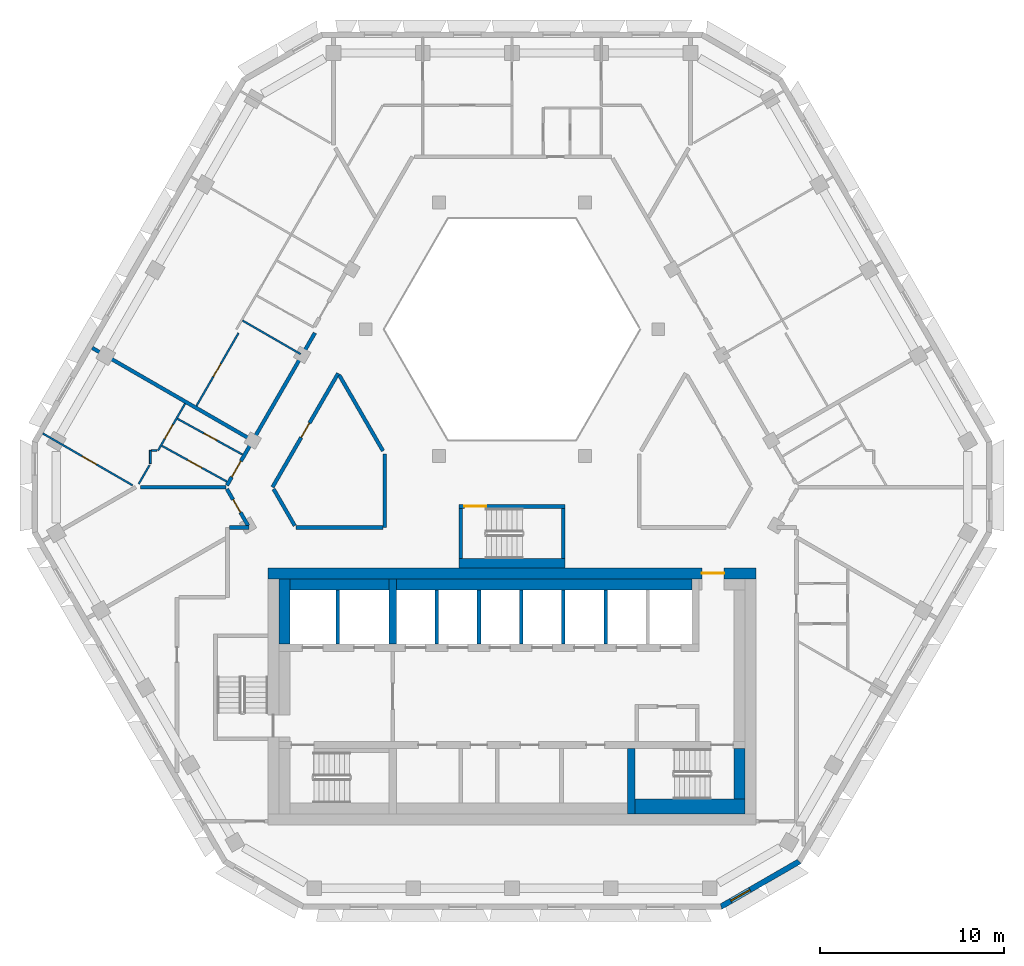
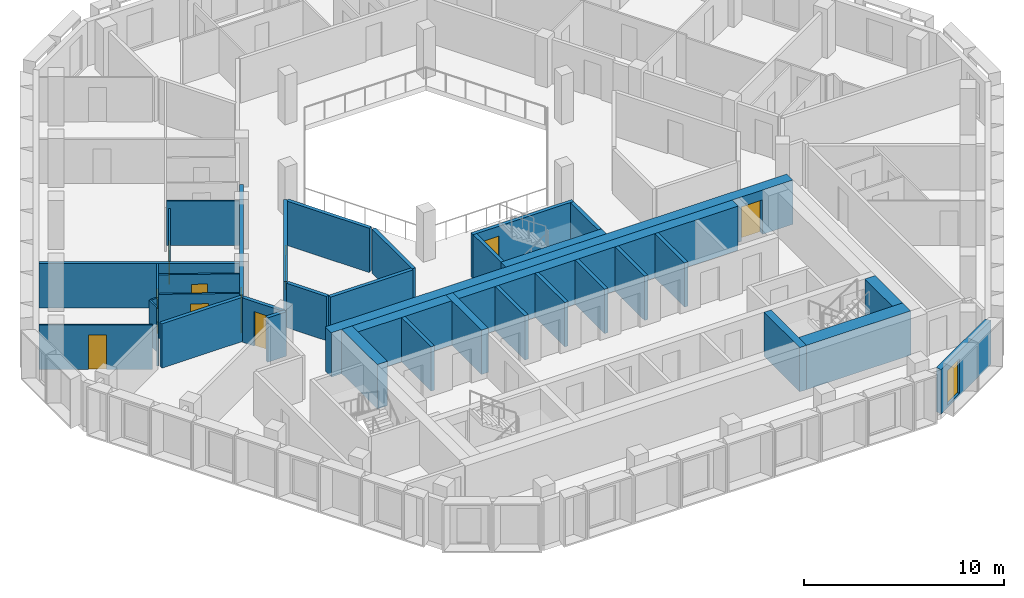
# One storey, part 4 of 15: 38 walls, 10 doors, 1 window, 11 openings.
"""IFC4 building model written with IfcOpenShell, lengths in metres."""

from ifc_helpers import new_model, si_unit, direction, frame, frame_2d, origin, place, context, subcontext, project, spatial, polyline, rectangle, outline, extrude, material, layer, layer_set, type_object, element, fill, save


model = new_model("IFC4")

# Units and contexts
model_context = context("Model", 3, precision=1e-05, world=origin(), true_north=direction((0.0, 1.0)))
body_context = subcontext(model_context, "Body", "Model", "MODEL_VIEW")
ifc_project = project(units=[si_unit("LENGTHUNIT", "METRE"), si_unit("AREAUNIT", "SQUARE_METRE"), si_unit("VOLUMEUNIT", "CUBIC_METRE"), si_unit("PLANEANGLEUNIT", "RADIAN"), si_unit("MASSUNIT", "GRAM", prefix="KILO")], contexts=[model_context])

# Site, building, storey
site_placement = place(None, origin())
site = spatial("IfcSite", under=ifc_project, at=site_placement, CompositionType="ELEMENT")
building_placement = place(site_placement, origin())
building = spatial("IfcBuilding", under=site, at=building_placement, Name="Beryl Residences", CompositionType="ELEMENT")
storey_placement = place(building_placement, frame((0.0, 0.0, 187.199951171875)))
storey = spatial("IfcBuildingStorey", under=building, at=storey_placement, Name="L57", CompositionType="ELEMENT", Elevation=187.199951171875)

# Wall, opening, window
ifc_material_1 = material(Name="Composite metal panel with mineral wool insulation")
ifc_layer_1 = layer(ifc_material_1, 0.300048828125)
ifc_layer_set_1 = layer_set([ifc_layer_1], Name="ES1 pale metal composite panel wall 300 mm")
wall_type_1 = type_object("IfcWallType", Name="ES1 pale metal composite panel wall 300 mm", PredefinedType="SOLIDWALL", material=ifc_layer_set_1)
wall_1_placement = place(storey_placement, frame((11.35595703125, -23.469970703125, 0.0), z_axis=(0.0, 0.0, 1.0), x_axis=(0.866022959057, 0.500004234368, 0.0)))
wall_1 = element("IfcWall", 1, at=wall_1_placement, inside=storey, type_object=wall_type_1, Name="ES1 external wall L57 S-SE", PredefinedType="SOLIDWALL", context=body_context, shape_type="SweptSolid", body=[
    extrude(outline(polyline([(0.0, -0.14990234375), (5.0, -0.14990234375), (4.919677734375, 0.14990234375), (0.080322265625, 0.14990234375), (0.0, -0.14990234375)])), origin(), (0.0, 0.0, 1.0), 2.699951171875),
])
opening_1_placement = place(wall_1_placement, frame((0.64990234375, 0.0, 0.14990234375)))
opening_1 = element("IfcOpeningElement", 2, at=opening_1_placement, cuts=wall_1, Name="Opening W2", PredefinedType="OPENING", context=body_context, shape_type="SweptSolid", body=[
    extrude(rectangle(XDim=1.199951171875, YDim=2.10009765625, at=frame_2d((0.60009765625, 1.050048828125))), frame((0.0, 0.159912109375, 0.0), z_axis=(0.0, -1.0, 0.0), x_axis=(1.0, 0.0, 0.0)), (0.0, 0.0, 1.0), 0.320068359375),
])
ifc_material_2 = material(Name="Aluminium and clear glass", Category="aluminium")
window_type = type_object("IfcWindowType", Name="W2 chamfer window 1200 x 2100 mm", PartitioningType="SINGLE_PANEL", PredefinedType="WINDOW", material=ifc_material_2)
window_placement = place(opening_1_placement, origin())
window = element("IfcWindow", 3, at=window_placement, inside=storey, type_object=window_type, Name="W2 window L57 S-SE 1", OverallHeight=2.10009765625, OverallWidth=1.199951171875, PartitioningType="SINGLE_PANEL", PredefinedType="WINDOW", context=body_context, shape_type="SweptSolid", body=[
    extrude(rectangle(XDim=1.199951171875, YDim=2.10009765625, at=frame_2d((0.60009765625, 1.050048828125))), frame((0.0, 0.030029296875, 0.0), z_axis=(0.0, -1.0, 0.0), x_axis=(1.0, 0.0, 0.0)), (0.0, 0.0, 1.0), 0.06005859375),
])
fill(opening_1, window)

# Wall, opening, door
ifc_material_3 = material(Name="Gypsum board partition on steel studs", Category="steel")
ifc_layer_2 = layer(ifc_material_3, 0.10009765625)
ifc_layer_set_2 = layer_set([ifc_layer_2], Name="PT1 partition 100 mm gypsum board on steel studs")
wall_type_2 = type_object("IfcWallType", Name="PT1 partition 100 mm gypsum board on steel studs", PredefinedType="PARTITIONING", material=ifc_layer_set_2)
wall_2_placement = place(storey_placement, frame((-18.22900390625, 3.1259765625, 0.0), z_axis=(0.0, 0.0, 1.0), x_axis=(0.876123002581, -0.482087631399, 0.0)))
wall_2 = element("IfcWall", 4, at=wall_2_placement, inside=storey, type_object=wall_type_2, Name="Wall PT1 L57 008", PredefinedType="PARTITIONING", context=body_context, shape_type="SweptSolid", body=[
    extrude(rectangle(XDim=4.05078125, YDim=0.10009765625, at=frame_2d((2.025390625, 0.0))), origin(), (0.0, 0.0, 1.0), 2.699951171875),
])
opening_2_placement = place(wall_2_placement, frame((1.64990234375, 0.0, 0.0)))
opening_2 = element("IfcOpeningElement", 5, at=opening_2_placement, cuts=wall_2, Name="Opening D1727", PredefinedType="OPENING", context=body_context, shape_type="SweptSolid", body=[
    extrude(rectangle(XDim=0.800048828125, YDim=2.10009765625, at=frame_2d((0.39990234375, 1.050048828125))), frame((0.0, 0.06005859375, 0.0), z_axis=(0.0, -1.0, 0.0), x_axis=(1.0, 0.0, 0.0)), (0.0, 0.0, 1.0), 0.1201171875),
])
ifc_material_4 = material(Name="Timber door leaf", Category="wood")
door_type_1 = type_object("IfcDoorType", Name="D3 bathroom door 800 x 2100 mm", OperationType="SINGLE_SWING_LEFT", PredefinedType="DOOR", material=ifc_material_4)
door_1_placement = place(opening_2_placement, origin())
door_1 = element("IfcDoor", 6, at=door_1_placement, inside=storey, type_object=door_type_1, Name="Door D1727 L57 001", OperationType="SINGLE_SWING_LEFT", OverallHeight=2.10009765625, OverallWidth=0.800048828125, PredefinedType="DOOR", context=body_context, shape_type="SweptSolid", body=[
    extrude(rectangle(XDim=0.800048828125, YDim=2.10009765625, at=frame_2d((0.39990234375, 1.050048828125))), frame((0.0, 0.02490234375, 0.0), z_axis=(0.0, -1.0, 0.0), x_axis=(1.0, 0.0, 0.0)), (0.0, 0.0, 1.0), 0.050048828125),
])
fill(opening_2, door_1)

wall_3_placement = place(storey_placement, frame((-19.0791015625, 1.653076171875, 0.0), z_axis=(0.0, 0.0, 1.0), x_axis=(0.876097546615, -0.482133890963, 0.0)))
wall_3 = element("IfcWall", 7, at=wall_3_placement, inside=storey, type_object=wall_type_2, Name="Wall PT1 L57 009", PredefinedType="PARTITIONING", context=body_context, shape_type="SweptSolid", body=[
    extrude(rectangle(XDim=4.051025390625, YDim=0.10009765625, at=frame_2d((2.025390625, 0.0))), origin(), (0.0, 0.0, 1.0), 2.699951171875),
])
opening_3_placement = place(wall_3_placement, frame((1.60009765625, 0.0, 0.0)))
opening_3 = element("IfcOpeningElement", 8, at=opening_3_placement, cuts=wall_3, Name="Opening D1726", PredefinedType="OPENING", context=body_context, shape_type="SweptSolid", body=[
    extrude(rectangle(XDim=0.89990234375, YDim=2.10009765625, at=frame_2d((0.449951171875, 1.050048828125))), frame((0.0, 0.06005859375, 0.0), z_axis=(0.0, -1.0, 0.0), x_axis=(1.0, 0.0, 0.0)), (0.0, 0.0, 1.0), 0.1201171875),
])
ifc_material_5 = material(Name="Timber door leaf", Category="wood")
door_type_2 = type_object("IfcDoorType", Name="D2 room door 900 x 2100 mm", OperationType="SINGLE_SWING_LEFT", PredefinedType="DOOR", material=ifc_material_5)
door_2_placement = place(opening_3_placement, origin())
door_2 = element("IfcDoor", 9, at=door_2_placement, inside=storey, type_object=door_type_2, Name="Door D1726 L57 001", OperationType="SINGLE_SWING_RIGHT", OverallHeight=2.10009765625, OverallWidth=0.89990234375, PredefinedType="DOOR", context=body_context, shape_type="SweptSolid", body=[
    extrude(rectangle(XDim=0.89990234375, YDim=2.10009765625, at=frame_2d((0.449951171875, 1.050048828125))), frame((0.0, 0.02490234375, 0.0), z_axis=(0.0, -1.0, 0.0), x_axis=(1.0, 0.0, 0.0)), (0.0, 0.0, 1.0), 0.050048828125),
])
fill(opening_3, door_2)

wall_4_placement = place(storey_placement, frame((-25.56201171875, 2.324951171875, 0.0), z_axis=(0.0, 0.0, 1.0), x_axis=(0.865998530728, -0.500046542611, 0.0)))
wall_4 = element("IfcWall", 10, at=wall_4_placement, inside=storey, type_object=wall_type_2, Name="Wall PT1 L57 012", PredefinedType="PARTITIONING", context=body_context, shape_type="SweptSolid", body=[
    extrude(rectangle(XDim=5.6513671875, YDim=0.10009765625, at=frame_2d((2.82568359375, 0.0))), origin(), (0.0, 0.0, 1.0), 2.699951171875),
])
opening_4_placement = place(wall_4_placement, frame((2.47607421875, 0.0, 0.0)))
opening_4 = element("IfcOpeningElement", 11, at=opening_4_placement, cuts=wall_4, Name="Opening D1729", PredefinedType="OPENING", context=body_context, shape_type="SweptSolid", body=[
    extrude(rectangle(XDim=0.89990234375, YDim=2.10009765625, at=frame_2d((0.449951171875, 1.050048828125))), frame((0.0, 0.06005859375, 0.0), z_axis=(0.0, -1.0, 0.0), x_axis=(1.0, 0.0, 0.0)), (0.0, 0.0, 1.0), 0.1201171875),
])
door_3_placement = place(opening_4_placement, origin())
door_3 = element("IfcDoor", 12, at=door_3_placement, inside=storey, type_object=door_type_2, Name="Door D1729 L57 001", OperationType="SINGLE_SWING_LEFT", OverallHeight=2.10009765625, OverallWidth=0.89990234375, PredefinedType="DOOR", context=body_context, shape_type="SweptSolid", body=[
    extrude(rectangle(XDim=0.89990234375, YDim=2.10009765625, at=frame_2d((0.449951171875, 1.050048828125))), frame((0.0, 0.02490234375, 0.0), z_axis=(0.0, -1.0, 0.0), x_axis=(1.0, 0.0, 0.0)), (0.0, 0.0, 1.0), 0.050048828125),
])
fill(opening_4, door_3)

# Walls
wall_5_placement = place(storey_placement, frame((-14.678955078125, 8.47509765625, 0.0), z_axis=(0.0, 0.0, 1.0), x_axis=(0.865995104784, -0.500052475737, 0.0)))
element("IfcWall", 13, at=wall_5_placement, inside=storey, type_object=wall_type_2, Name="Wall PT1 L57 013", PredefinedType="PARTITIONING", context=body_context, shape_type="SweptSolid", body=[
    extrude(rectangle(XDim=3.64990234375, YDim=0.10009765625, at=frame_2d((1.824951171875, 0.0))), origin(), (0.0, 0.0, 1.0), 2.699951171875),
])
wall_6_placement = place(storey_placement, frame((-19.64990234375, 1.39990234375, 0.0), z_axis=(0.0, 0.0, 1.0), x_axis=(1.0, 0.0, 0.0)))
element("IfcWall", 14, at=wall_6_placement, inside=storey, type_object=wall_type_2, Name="Wall PT1 L57 019", PredefinedType="PARTITIONING", context=body_context, shape_type="SweptSolid", body=[
    extrude(rectangle(XDim=0.308837890625, YDim=0.10009765625, at=frame_2d((0.154296875, 0.0))), origin(), (0.0, 0.0, 1.0), 2.699951171875),
])

# Wall, opening, door
wall_7_placement = place(storey_placement, frame((-17.19091796875, 3.823974609375, 0.0), z_axis=(0.0, 0.0, 1.0), x_axis=(0.499891250406, 0.866088181288, 0.0)))
wall_7 = element("IfcWall", 15, at=wall_7_placement, inside=storey, type_object=wall_type_2, Name="Wall PT1 L57 025", PredefinedType="PARTITIONING", context=body_context, shape_type="SweptSolid", body=[
    extrude(rectangle(XDim=4.5908203125, YDim=0.10009765625, at=frame_2d((2.29541015625, 0.0))), origin(), (0.0, 0.0, 1.0), 2.699951171875),
])
opening_5_placement = place(wall_7_placement, frame((1.844970703125, 0.0, 0.0)))
opening_5 = element("IfcOpeningElement", 16, at=opening_5_placement, cuts=wall_7, Name="Opening D1722", PredefinedType="OPENING", context=body_context, shape_type="SweptSolid", body=[
    extrude(rectangle(XDim=0.800048828125, YDim=2.10009765625, at=frame_2d((0.39990234375, 1.050048828125))), frame((0.0, 0.06005859375, 0.0), z_axis=(0.0, -1.0, 0.0), x_axis=(1.0, 0.0, 0.0)), (0.0, 0.0, 1.0), 0.1201171875),
])
door_4_placement = place(opening_5_placement, origin())
door_4 = element("IfcDoor", 17, at=door_4_placement, inside=storey, type_object=door_type_1, Name="Door D1722 L57 001", OperationType="SINGLE_SWING_RIGHT", OverallHeight=2.10009765625, OverallWidth=0.800048828125, PredefinedType="DOOR", context=body_context, shape_type="SweptSolid", body=[
    extrude(rectangle(XDim=0.800048828125, YDim=2.10009765625, at=frame_2d((0.39990234375, 1.050048828125))), frame((0.0, 0.02490234375, 0.0), z_axis=(0.0, -1.0, 0.0), x_axis=(1.0, 0.0, 0.0)), (0.0, 0.0, 1.0), 0.050048828125),
])
fill(opening_5, door_4)

# Wall
wall_8_placement = place(storey_placement, frame((-20.337890625, -0.427001953125, 0.0), z_axis=(0.0, 0.0, 1.0), x_axis=(0.500069990121, 0.865984991198, 0.0)))
element("IfcWall", 18, at=wall_8_placement, inside=storey, type_object=wall_type_2, Name="Wall PT1 L57 027", PredefinedType="PARTITIONING", context=body_context, shape_type="SweptSolid", body=[
    extrude(rectangle(XDim=1.175537109375, YDim=0.10009765625, at=frame_2d((0.587890625, 0.0))), origin(), (0.0, 0.0, 1.0), 2.699951171875),
])

# Wall, opening, door
wall_9_placement = place(storey_placement, frame((-19.282958984375, 1.39990234375, 0.0), z_axis=(0.0, 0.0, 1.0), x_axis=(0.500160189342, 0.865932898669, 0.0)))
wall_9 = element("IfcWall", 19, at=wall_9_placement, inside=storey, type_object=wall_type_2, Name="Wall PT1 L57 028", PredefinedType="PARTITIONING", context=body_context, shape_type="SweptSolid", body=[
    extrude(rectangle(XDim=2.94482421875, YDim=0.10009765625, at=frame_2d((1.472412109375, 0.0))), origin(), (0.0, 0.0, 1.0), 2.699951171875),
])
opening_6_placement = place(wall_9_placement, frame((0.720947265625, 0.0, 0.0)))
opening_6 = element("IfcOpeningElement", 20, at=opening_6_placement, cuts=wall_9, Name="Opening D1728", PredefinedType="OPENING", context=body_context, shape_type="SweptSolid", body=[
    extrude(rectangle(XDim=0.89990234375, YDim=2.10009765625, at=frame_2d((0.449951171875, 1.050048828125))), frame((0.0, 0.06005859375, 0.0), z_axis=(0.0, -1.0, 0.0), x_axis=(1.0, 0.0, 0.0)), (0.0, 0.0, 1.0), 0.1201171875),
])
door_5_placement = place(opening_6_placement, origin())
door_5 = element("IfcDoor", 21, at=door_5_placement, inside=storey, type_object=door_type_2, Name="Door D1728 L57 001", OperationType="SINGLE_SWING_RIGHT", OverallHeight=2.10009765625, OverallWidth=0.89990234375, PredefinedType="DOOR", context=body_context, shape_type="SweptSolid", body=[
    extrude(rectangle(XDim=0.89990234375, YDim=2.10009765625, at=frame_2d((0.449951171875, 1.050048828125))), frame((0.0, 0.02490234375, 0.0), z_axis=(0.0, -1.0, 0.0), x_axis=(1.0, 0.0, 0.0)), (0.0, 0.0, 1.0), 0.050048828125),
])
fill(opening_6, door_5)

# Walls
wall_10_placement = place(storey_placement, frame((-19.699951171875, 0.677978515625, 0.0), z_axis=(0.0, 0.0, 1.0), x_axis=(0.0, 1.0, 0.0)))
element("IfcWall", 22, at=wall_10_placement, inside=storey, type_object=wall_type_2, Name="Wall PT1 L57 036", PredefinedType="PARTITIONING", context=body_context, shape_type="SweptSolid", body=[
    extrude(rectangle(XDim=0.721923828125, YDim=0.10009765625, at=frame_2d((0.36083984375, 0.0))), origin(), (0.0, 0.0, 1.0), 2.699951171875),
])
ifc_material_6 = material(Name="Acoustic double stud gypsum board wall")
ifc_layer_3 = layer(ifc_material_6, 0.199951171875)
ifc_layer_set_3 = layer_set([ifc_layer_3], Name="PT3 party wall 200 mm acoustic double stud")
wall_type_3 = type_object("IfcWallType", Name="PT3 party wall 200 mm acoustic double stud", PredefinedType="PARTITIONING", material=ifc_layer_set_3)
wall_11_placement = place(storey_placement, frame((-22.8701171875, 6.987060546875, 0.0), z_axis=(0.0, 0.0, 1.0), x_axis=(0.866022959057, -0.500004234368, 0.0)))
element("IfcWall", 23, at=wall_11_placement, inside=storey, type_object=wall_type_3, Name="Wall PT3 L57 003", PredefinedType="PARTITIONING", context=body_context, shape_type="SweptSolid", body=[
    extrude(rectangle(XDim=10.0, YDim=0.199951171875, at=frame_2d((5.0, 0.0))), origin(), (0.0, 0.0, 1.0), 2.699951171875),
])
wall_12_placement = place(storey_placement, frame((-20.238037109375, -0.60107421875, 0.0), z_axis=(0.0, 0.0, 1.0), x_axis=(1.0, 0.0, 0.0)))
element("IfcWall", 24, at=wall_12_placement, inside=storey, type_object=wall_type_3, Name="Wall PT3 L57 005", PredefinedType="PARTITIONING", context=body_context, shape_type="SweptSolid", body=[
    extrude(rectangle(XDim=4.650146484375, YDim=0.199951171875, at=frame_2d((2.3251953125, 0.0))), origin(), (0.0, 0.0, 1.0), 2.699951171875),
])
ifc_material_7 = material(Name="Double stud gypsum board wall")
ifc_layer_4 = layer(ifc_material_7, 0.199951171875)
ifc_layer_set_4 = layer_set([ifc_layer_4], Name="PT4 corridor wall 200 mm double stud")
wall_type_4 = type_object("IfcWallType", Name="PT4 corridor wall 200 mm double stud", PredefinedType="PARTITIONING", material=ifc_layer_set_4)
wall_13_placement = place(storey_placement, frame((-9.410888671875, 5.5, 0.0), z_axis=(0.0, 0.0, 1.0), x_axis=(0.500018099276, -0.86601495391, 0.0)))
element("IfcWall", 25, at=wall_13_placement, inside=storey, type_object=wall_type_4, Name="Wall PT4 L57 001", PredefinedType="PARTITIONING", context=body_context, shape_type="SweptSolid", body=[
    extrude(rectangle(XDim=4.765380859375, YDim=0.199951171875, at=frame_2d((2.3828125, 0.0))), origin(), (0.0, 0.0, 1.0), 2.699951171875),
])
wall_14_placement = place(storey_placement, frame((-12.989990234375, -0.700927734375, 0.0), z_axis=(0.0, 0.0, 1.0), x_axis=(0.499972710878, -0.866041158593, 0.0)))
element("IfcWall", 26, at=wall_14_placement, inside=storey, type_object=wall_type_4, Name="Wall PT4 L57 002", PredefinedType="PARTITIONING", context=body_context, shape_type="SweptSolid", body=[
    extrude(rectangle(XDim=2.308349609375, YDim=0.199951171875, at=frame_2d((1.154296875, 0.0))), origin(), (0.0, 0.0, 1.0), 2.699951171875),
])

# Wall, opening, door
wall_15_placement = place(storey_placement, frame((-15.530029296875, -0.700927734375, 0.0), z_axis=(0.0, 0.0, 1.0), x_axis=(0.499972710878, -0.866041158593, 0.0)))
wall_15 = element("IfcWall", 27, at=wall_15_placement, inside=storey, type_object=wall_type_4, Name="Wall PT4 L57 003", PredefinedType="PARTITIONING", context=body_context, shape_type="SweptSolid", body=[
    extrude(rectangle(XDim=2.308349609375, YDim=0.199951171875, at=frame_2d((1.154296875, 0.0))), origin(), (0.0, 0.0, 1.0), 2.699951171875),
])
opening_7_placement = place(wall_15_placement, frame((0.674072265625, 0.0, 0.0)))
opening_7 = element("IfcOpeningElement", 28, at=opening_7_placement, cuts=wall_15, Name="Opening D1730", PredefinedType="OPENING", context=body_context, shape_type="SweptSolid", body=[
    extrude(rectangle(XDim=0.800048828125, YDim=2.10009765625, at=frame_2d((0.39990234375, 1.050048828125))), frame((0.0, 0.10986328125, 0.0), z_axis=(0.0, -1.0, 0.0), x_axis=(1.0, 0.0, 0.0)), (0.0, 0.0, 1.0), 0.219970703125),
])
door_6_placement = place(opening_7_placement, origin())
door_6 = element("IfcDoor", 29, at=door_6_placement, inside=storey, type_object=door_type_1, Name="Door D1730 L57 001", OperationType="SINGLE_SWING_RIGHT", OverallHeight=2.10009765625, OverallWidth=0.800048828125, PredefinedType="DOOR", context=body_context, shape_type="SweptSolid", body=[
    extrude(rectangle(XDim=0.800048828125, YDim=2.10009765625, at=frame_2d((0.39990234375, 1.050048828125))), frame((0.0, 0.02490234375, 0.0), z_axis=(0.0, -1.0, 0.0), x_axis=(1.0, 0.0, 0.0)), (0.0, 0.0, 1.0), 0.050048828125),
])
fill(opening_7, door_6)

# Walls
wall_16_placement = place(storey_placement, frame((-15.39892578125, -2.800048828125, 0.0), z_axis=(0.0, 0.0, 1.0), x_axis=(1.0, 0.0, 0.0)))
element("IfcWall", 30, at=wall_16_placement, inside=storey, type_object=wall_type_4, Name="Wall PT4 L57 010", PredefinedType="PARTITIONING", context=body_context, shape_type="SweptSolid", body=[
    extrude(rectangle(XDim=1.080810546875, YDim=0.199951171875, at=frame_2d((0.54052734375, 0.0))), origin(), (0.0, 0.0, 1.0), 2.699951171875),
])
wall_17_placement = place(storey_placement, frame((-11.778076171875, -2.800048828125, 0.0), z_axis=(0.0, 0.0, 1.0), x_axis=(1.0, 0.0, 0.0)))
element("IfcWall", 31, at=wall_17_placement, inside=storey, type_object=wall_type_4, Name="Wall PT4 L57 011", PredefinedType="PARTITIONING", context=body_context, shape_type="SweptSolid", body=[
    extrude(rectangle(XDim=4.75, YDim=0.199951171875, at=frame_2d((2.375, 0.0))), origin(), (0.0, 0.0, 1.0), 2.699951171875),
])

# Wall, opening, door
wall_18_placement = place(storey_placement, frame((-13.048095703125, -0.60107421875, 0.0), z_axis=(0.0, 0.0, 1.0), x_axis=(0.499982180423, 0.866035691677, 0.0)))
wall_18 = element("IfcWall", 32, at=wall_18_placement, inside=storey, type_object=wall_type_4, Name="Wall PT4 L57 018", PredefinedType="PARTITIONING", context=body_context, shape_type="SweptSolid", body=[
    extrude(rectangle(XDim=7.160400390625, YDim=0.199951171875, at=frame_2d((3.580078125, 0.0))), origin(), (0.0, 0.0, 1.0), 2.699951171875),
])
opening_8_placement = place(wall_18_placement, frame((3.1298828125, 0.0, 0.0)))
opening_8 = element("IfcOpeningElement", 33, at=opening_8_placement, cuts=wall_18, Name="Opening D1742", PredefinedType="OPENING", context=body_context, shape_type="SweptSolid", body=[
    extrude(rectangle(XDim=0.89990234375, YDim=2.10009765625, at=frame_2d((0.449951171875, 1.050048828125))), frame((0.0, 0.10986328125, 0.0), z_axis=(0.0, -1.0, 0.0), x_axis=(1.0, 0.0, 0.0)), (0.0, 0.0, 1.0), 0.219970703125),
])
door_7_placement = place(opening_8_placement, origin())
door_7 = element("IfcDoor", 34, at=door_7_placement, inside=storey, type_object=door_type_2, Name="Door D1742 L57 001", OperationType="SINGLE_SWING_RIGHT", OverallHeight=2.10009765625, OverallWidth=0.89990234375, PredefinedType="DOOR", context=body_context, shape_type="SweptSolid", body=[
    extrude(rectangle(XDim=0.89990234375, YDim=2.10009765625, at=frame_2d((0.449951171875, 1.050048828125))), frame((0.0, 0.02490234375, 0.0), z_axis=(0.0, -1.0, 0.0), x_axis=(1.0, 0.0, 0.0)), (0.0, 0.0, 1.0), 0.050048828125),
])
fill(opening_8, door_7)

wall_19_placement = place(storey_placement, frame((-15.530029296875, -0.5009765625, 0.0), z_axis=(0.0, 0.0, 1.0), x_axis=(0.499952498232, 0.866052827206, 0.0)))
wall_19 = element("IfcWall", 35, at=wall_19_placement, inside=storey, type_object=wall_type_4, Name="Wall PT4 L57 019", PredefinedType="PARTITIONING", context=body_context, shape_type="SweptSolid", body=[
    extrude(rectangle(XDim=9.5849609375, YDim=0.199951171875, at=frame_2d((4.79248046875, 0.0))), origin(), (0.0, 0.0, 1.0), 2.699951171875),
])
opening_9_placement = place(wall_19_placement, frame((0.52490234375, 0.0, 0.0)))
opening_9 = element("IfcOpeningElement", 36, at=opening_9_placement, cuts=wall_19, Name="Opening D1725", PredefinedType="OPENING", context=body_context, shape_type="SweptSolid", body=[
    extrude(rectangle(XDim=1.0, YDim=2.10009765625, at=frame_2d((0.5, 1.050048828125))), frame((0.0, 0.10986328125, 0.0), z_axis=(0.0, -1.0, 0.0), x_axis=(1.0, 0.0, 0.0)), (0.0, 0.0, 1.0), 0.219970703125),
])
ifc_material_8 = material(Name="Timber door leaf", Category="wood")
door_type_3 = type_object("IfcDoorType", Name="D1 flat entrance door 1000 x 2100 mm", OperationType="SINGLE_SWING_LEFT", PredefinedType="DOOR", material=ifc_material_8)
door_8_placement = place(opening_9_placement, origin())
door_8 = element("IfcDoor", 37, at=door_8_placement, inside=storey, type_object=door_type_3, Name="Door D1725 L57 001", OperationType="SINGLE_SWING_LEFT", OverallHeight=2.10009765625, OverallWidth=1.0, PredefinedType="DOOR", context=body_context, shape_type="SweptSolid", body=[
    extrude(rectangle(XDim=1.0, YDim=2.10009765625, at=frame_2d((0.5, 1.050048828125))), frame((0.0, 0.02490234375, 0.0), z_axis=(0.0, -1.0, 0.0), x_axis=(1.0, 0.0, 0.0)), (0.0, 0.0, 1.0), 0.050048828125),
])
fill(opening_9, door_8)

# Wall
wall_20_placement = place(storey_placement, frame((-6.927978515625, -2.800048828125, 0.0), z_axis=(0.0, 0.0, 1.0), x_axis=(0.0, 1.0, 0.0)))
element("IfcWall", 38, at=wall_20_placement, inside=storey, type_object=wall_type_4, Name="Wall PT4 L57 023", PredefinedType="PARTITIONING", context=body_context, shape_type="SweptSolid", body=[
    extrude(rectangle(XDim=4.0, YDim=0.199951171875, at=frame_2d((2.0, 0.0))), origin(), (0.0, 0.0, 1.0), 2.699951171875),
])

# Wall, opening, door
ifc_material_9 = material(Name="Concrete C40/50", Category="concrete")
ifc_layer_5 = layer(ifc_material_9, 0.199951171875)
ifc_layer_set_5 = layer_set([ifc_layer_5], Name="PT5 stair enclosure wall 200 mm reinforced concrete C40/50")
wall_type_5 = type_object("IfcWallType", Name="PT5 stair enclosure wall 200 mm reinforced concrete C40/50", PredefinedType="SOLIDWALL", material=ifc_layer_set_5)
wall_21_placement = place(storey_placement, frame((-2.89990234375, -1.64990234375, 0.0), z_axis=(0.0, 0.0, 1.0), x_axis=(1.0, 0.0, 0.0)))
wall_21 = element("IfcWall", 39, at=wall_21_placement, inside=storey, type_object=wall_type_5, Name="Wall PT5 L57 001", PredefinedType="SOLIDWALL", context=body_context, shape_type="SweptSolid", body=[
    extrude(rectangle(XDim=5.7998046875, YDim=0.199951171875, at=frame_2d((2.89990234375, 0.0))), origin(), (0.0, 0.0, 1.0), 2.699951171875),
])
opening_10_placement = place(wall_21_placement, frame((0.300048828125, 0.0, 0.0)))
opening_10 = element("IfcOpeningElement", 40, at=opening_10_placement, cuts=wall_21, Name="Opening DS04", PredefinedType="OPENING", context=body_context, shape_type="SweptSolid", body=[
    extrude(rectangle(XDim=1.199951171875, YDim=2.10009765625, at=frame_2d((0.60009765625, 1.050048828125))), frame((0.0, 0.10986328125, 0.0), z_axis=(0.0, -1.0, 0.0), x_axis=(1.0, 0.0, 0.0)), (0.0, 0.0, 1.0), 0.219970703125),
])
ifc_material_10 = material(Name="Steel door leaf in steel frame", Category="steel")
door_type_4 = type_object("IfcDoorType", Name="D4 stair door 1200 x 2100 mm", OperationType="SINGLE_SWING_LEFT", PredefinedType="DOOR", material=ifc_material_10)
door_9_placement = place(opening_10_placement, origin())
door_9 = element("IfcDoor", 41, at=door_9_placement, inside=storey, type_object=door_type_4, Name="Door DS04 L57 001", OperationType="SINGLE_SWING_LEFT", OverallHeight=2.10009765625, OverallWidth=1.199951171875, PredefinedType="DOOR", context=body_context, shape_type="SweptSolid", body=[
    extrude(rectangle(XDim=1.199951171875, YDim=2.10009765625, at=frame_2d((0.60009765625, 1.050048828125))), frame((0.0, 0.02490234375, 0.0), z_axis=(0.0, -1.0, 0.0), x_axis=(1.0, 0.0, 0.0)), (0.0, 0.0, 1.0), 0.050048828125),
])
fill(opening_10, door_9)

# Walls
for number, where, z_axis, x_axis, name in (
    (42, (-2.800048828125, -4.5, 0.0), (0.0, 0.0, 1.0), (0.0, 1.0, 0.0), "Wall PT5 L57 002"),
    (43, (2.800048828125, -4.5, 0.0), (0.0, 0.0, 1.0), (0.0, 1.0, 0.0), "Wall PT5 L57 003"),
):
    element("IfcWall", number, at=place(storey_placement, frame(where, z_axis=z_axis, x_axis=x_axis)), inside=storey, type_object=wall_type_5, Name=name, PredefinedType="SOLIDWALL", context=body_context, shape_type="SweptSolid", body=[
        extrude(rectangle(XDim=2.75, YDim=0.199951171875, at=frame_2d((1.375, 0.0))), origin(), (0.0, 0.0, 1.0), 2.699951171875),
    ])
ifc_material_11 = material(Name="Concrete C40/50", Category="concrete")
ifc_layer_6 = layer(ifc_material_11, 0.5)
ifc_layer_set_6 = layer_set([ifc_layer_6], Name="PT5-500 stair enclosure wall 500 mm")
wall_type_6 = type_object("IfcWallType", Name="PT5-500 stair enclosure wall 500 mm", PredefinedType="SOLIDWALL", material=ifc_layer_set_6)
wall_22_placement = place(storey_placement, frame((-2.89990234375, -4.75, 0.0), z_axis=(0.0, 0.0, 1.0), x_axis=(1.0, 0.0, 0.0)))
element("IfcWall", 44, at=wall_22_placement, inside=storey, type_object=wall_type_6, Name="Wall PT5-500 L57 001", PredefinedType="SOLIDWALL", context=body_context, shape_type="SweptSolid", body=[
    extrude(rectangle(XDim=5.7998046875, YDim=0.5, at=frame_2d((2.89990234375, 0.0))), origin(), (0.0, 0.0, 1.0), 2.699951171875),
])
ifc_material_12 = material(Name="Concrete C40/50", Category="concrete")
ifc_layer_7 = layer(ifc_material_12, 0.60009765625)
ifc_layer_set_7 = layer_set([ifc_layer_7], Name="PT5-600 stair enclosure wall 600 mm")
wall_type_7 = type_object("IfcWallType", Name="PT5-600 stair enclosure wall 600 mm", PredefinedType="SOLIDWALL", material=ifc_layer_set_7)
wall_23_placement = place(storey_placement, frame((12.39990234375, -17.60009765625, 0.0), z_axis=(0.0, 0.0, 1.0), x_axis=(0.0, 1.0, 0.0)))
element("IfcWall", 45, at=wall_23_placement, inside=storey, type_object=wall_type_7, Name="Stair wall 30", PredefinedType="SOLIDWALL", context=body_context, shape_type="SweptSolid", body=[
    extrude(rectangle(XDim=2.75, YDim=0.60009765625, at=frame_2d((1.375, 0.0))), origin(), (0.0, 0.0, 1.0), 2.699951171875),
])
ifc_material_13 = material(Name="Concrete C40/50", Category="concrete")
ifc_layer_8 = layer(ifc_material_13, 0.800048828125)
ifc_layer_set_8 = layer_set([ifc_layer_8], Name="PT5-800 stair enclosure wall 800 mm")
wall_type_8 = type_object("IfcWallType", Name="PT5-800 stair enclosure wall 800 mm", PredefinedType="SOLIDWALL", material=ifc_layer_set_8)
wall_24_placement = place(storey_placement, frame((6.699951171875, -18.0, 0.0), z_axis=(0.0, 0.0, 1.0), x_axis=(1.0, 0.0, 0.0)))
element("IfcWall", 46, at=wall_24_placement, inside=storey, type_object=wall_type_8, Name="Stair wall 23", PredefinedType="SOLIDWALL", context=body_context, shape_type="SweptSolid", body=[
    extrude(rectangle(XDim=6.0, YDim=0.800048828125, at=frame_2d((3.0, 0.0))), origin(), (0.0, 0.0, 1.0), 2.699951171875),
])
ifc_material_14 = material(Name="Concrete C40/50", Category="concrete")
ifc_layer_9 = layer(ifc_material_14, 0.199951171875)
ifc_layer_set_9 = layer_set([ifc_layer_9], Name="PT6 lift shaft wall 200 mm reinforced concrete C40/50")
wall_type_9 = type_object("IfcWallType", Name="PT6 lift shaft wall 200 mm reinforced concrete C40/50", PredefinedType="SOLIDWALL", material=ifc_layer_set_9)
for number, where, z_axis, x_axis, name in (
    (47, (-9.5, -9.14990234375, 0.0), (0.0, 0.0, 1.0), (0.0, 1.0, 0.0), "Lift shaft wall 11"),
    (48, (-4.10009765625, -9.14990234375, 0.0), (0.0, 0.0, 1.0), (0.0, 1.0, 0.0), "Lift shaft wall 15"),
    (49, (-1.800048828125, -9.14990234375, 0.0), (0.0, 0.0, 1.0), (0.0, 1.0, 0.0), "Lift shaft wall 17"),
    (50, (0.5, -9.14990234375, 0.0), (0.0, 0.0, 1.0), (0.0, 1.0, 0.0), "Lift shaft wall 19"),
    (51, (2.800048828125, -9.14990234375, 0.0), (0.0, 0.0, 1.0), (0.0, 1.0, 0.0), "Lift shaft wall 21"),
    (52, (5.10009765625, -9.14990234375, 0.0), (0.0, 0.0, 1.0), (0.0, 1.0, 0.0), "Lift shaft wall 22"),
):
    element("IfcWall", number, at=place(storey_placement, frame(where, z_axis=z_axis, x_axis=x_axis)), inside=storey, type_object=wall_type_9, Name=name, PredefinedType="SOLIDWALL", context=body_context, shape_type="SweptSolid", body=[
        extrude(rectangle(XDim=2.949951171875, YDim=0.199951171875, at=frame_2d((1.47509765625, 0.0))), origin(), (0.0, 0.0, 1.0), 2.699951171875),
    ])
ifc_material_15 = material(Name="Concrete C40/50", Category="concrete")
ifc_layer_10 = layer(ifc_material_15, 0.60009765625)
ifc_layer_set_10 = layer_set([ifc_layer_10], Name="PT6-600 lift shaft wall 600 mm")
wall_type_10 = type_object("IfcWallType", Name="PT6-600 lift shaft wall 600 mm", PredefinedType="SOLIDWALL", material=ifc_layer_set_10)
wall_25_placement = place(storey_placement, frame((-12.39990234375, -9.14990234375, 0.0), z_axis=(0.0, 0.0, 1.0), x_axis=(0.0, 1.0, 0.0)))
element("IfcWall", 53, at=wall_25_placement, inside=storey, type_object=wall_type_10, Name="Lift shaft wall 07", PredefinedType="SOLIDWALL", context=body_context, shape_type="SweptSolid", body=[
    extrude(rectangle(XDim=3.5498046875, YDim=0.60009765625, at=frame_2d((1.77490234375, 0.0))), origin(), (0.0, 0.0, 1.0), 2.699951171875),
])
wall_26_placement = place(storey_placement, frame((-12.10009765625, -5.89990234375, 0.0), z_axis=(0.0, 0.0, 1.0), x_axis=(1.0, 0.0, 0.0)))
element("IfcWall", 54, at=wall_26_placement, inside=storey, type_object=wall_type_10, Name="Lift shaft wall 09", PredefinedType="SOLIDWALL", context=body_context, shape_type="SweptSolid", body=[
    extrude(rectangle(XDim=5.400146484375, YDim=0.60009765625, at=frame_2d((2.7001953125, 0.0))), origin(), (0.0, 0.0, 1.0), 2.699951171875),
])
wall_27_placement = place(storey_placement, frame((-6.300048828125, -5.89990234375, 0.0), z_axis=(0.0, 0.0, 1.0), x_axis=(1.0, 0.0, 0.0)))
element("IfcWall", 55, at=wall_27_placement, inside=storey, type_object=wall_type_10, Name="Lift shaft wall 14", PredefinedType="SOLIDWALL", context=body_context, shape_type="SweptSolid", body=[
    extrude(rectangle(XDim=16.10009765625, YDim=0.60009765625, at=frame_2d((8.050048828125, 0.0))), origin(), (0.0, 0.0, 1.0), 2.699951171875),
])

# Wall, opening, door
ifc_material_16 = material(Name="Concrete C50/60", Category="concrete")
ifc_layer_11 = layer(ifc_material_16, 0.60009765625)
ifc_layer_set_11 = layer_set([ifc_layer_11], Name="SW4 core outer wall 600 mm C50/60")
wall_type_11 = type_object("IfcWallType", Name="SW4 core outer wall 600 mm C50/60", PredefinedType="SHEAR", material=ifc_layer_set_11)
wall_28_placement = place(storey_placement, frame((-13.300048828125, -5.300048828125, 0.0), z_axis=(0.0, 0.0, 1.0), x_axis=(1.0, 0.0, 0.0)))
wall_28 = element("IfcWall", 56, at=wall_28_placement, inside=storey, type_object=wall_type_11, Name="Core wall N L57", PredefinedType="SHEAR", context=body_context, shape_type="SweptSolid", body=[
    extrude(rectangle(XDim=26.60009765625, YDim=0.60009765625, at=frame_2d((13.300048828125, 0.0))), origin(), (0.0, 0.0, 1.0), 2.699951171875),
])
opening_11_placement = place(wall_28_placement, frame((23.64990234375, 0.0, 0.0)))
opening_11 = element("IfcOpeningElement", 57, at=opening_11_placement, cuts=wall_28, Name="Opening FD-NORTH", PredefinedType="OPENING", context=body_context, shape_type="SweptSolid", body=[
    extrude(rectangle(XDim=1.199951171875, YDim=2.10009765625, at=frame_2d((0.60009765625, 1.050048828125))), frame((0.0, 0.31005859375, 0.0), z_axis=(0.0, -1.0, 0.0), x_axis=(1.0, 0.0, 0.0)), (0.0, 0.0, 1.0), 0.6201171875),
])
ifc_material_17 = material(Name="Steel door leaf in steel frame", Category="steel")
door_type_5 = type_object("IfcDoorType", Name="D22 lobby door 1200 x 2100 mm", OperationType="DOUBLE_DOOR_SINGLE_SWING", PredefinedType="DOOR", material=ifc_material_17)
door_10_placement = place(opening_11_placement, origin())
door_10 = element("IfcDoor", 58, at=door_10_placement, inside=storey, type_object=door_type_5, Name="Door FD-NORTH L57 001", OperationType="DOUBLE_DOOR_SINGLE_SWING", OverallHeight=2.10009765625, OverallWidth=1.199951171875, PredefinedType="DOOR", context=body_context, shape_type="SweptSolid", body=[
    extrude(rectangle(XDim=1.199951171875, YDim=2.10009765625, at=frame_2d((0.60009765625, 1.050048828125))), frame((0.0, 0.02490234375, 0.0), z_axis=(0.0, -1.0, 0.0), x_axis=(1.0, 0.0, 0.0)), (0.0, 0.0, 1.0), 0.050048828125),
])
fill(opening_11, door_10)

# Walls
ifc_material_18 = material(Name="Concrete C50/60", Category="concrete")
ifc_layer_12 = layer(ifc_material_18, 0.39990234375)
ifc_layer_set_12 = layer_set([ifc_layer_12], Name="SW9 core internal wall 400 mm C50/60")
wall_type_12 = type_object("IfcWallType", Name="SW9 core internal wall 400 mm C50/60", PredefinedType="SHEAR", material=ifc_layer_set_12)
for number, where, z_axis, x_axis, name in (
    (59, (6.5, -18.39990234375, 0.0), (0.0, 0.0, 1.0), (0.0, 1.0, 0.0), "Core wall XS2 L57"),
    (60, (-6.5, -9.14990234375, 0.0), (0.0, 0.0, 1.0), (0.0, 1.0, 0.0), "Core wall XN1 L57"),
):
    element("IfcWall", number, at=place(storey_placement, frame(where, z_axis=z_axis, x_axis=x_axis)), inside=storey, type_object=wall_type_12, Name=name, PredefinedType="SHEAR", context=body_context, shape_type="SweptSolid", body=[
        extrude(rectangle(XDim=3.5498046875, YDim=0.39990234375, at=frame_2d((1.77490234375, 0.0))), origin(), (0.0, 0.0, 1.0), 2.699951171875),
    ])

save(model, "model.ifc")
